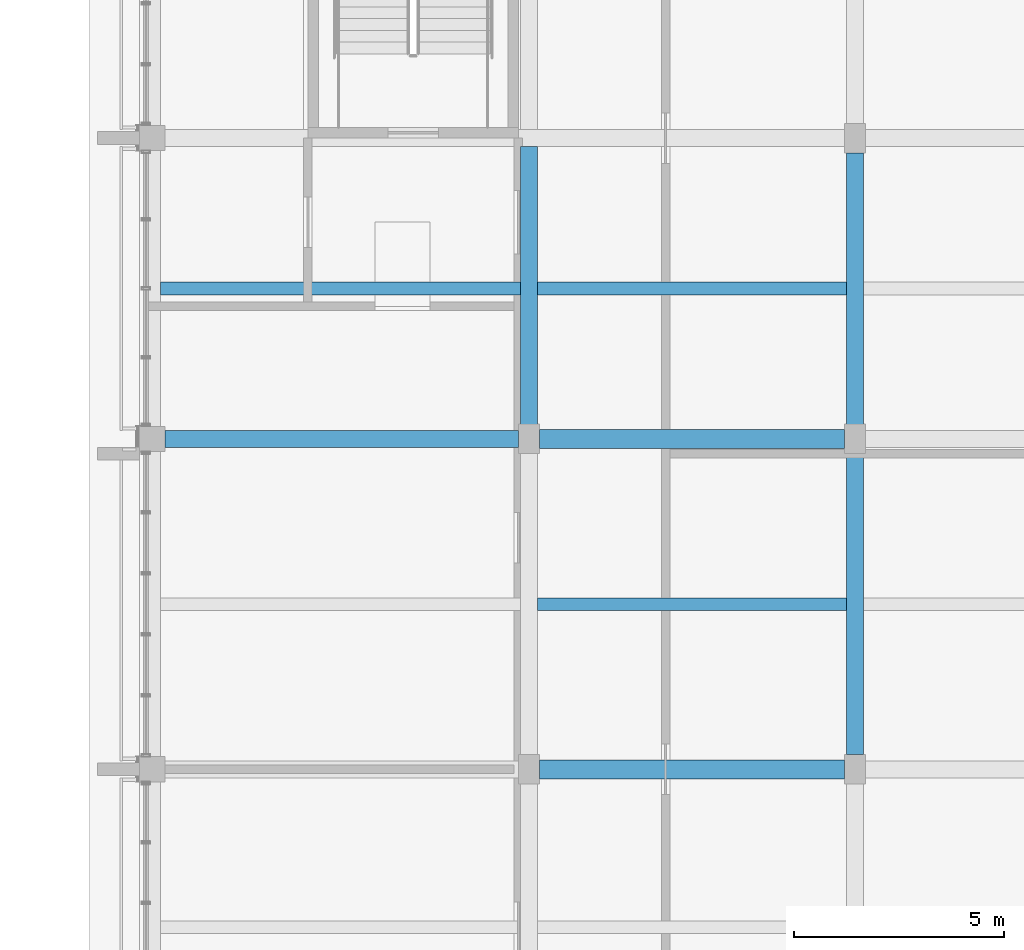
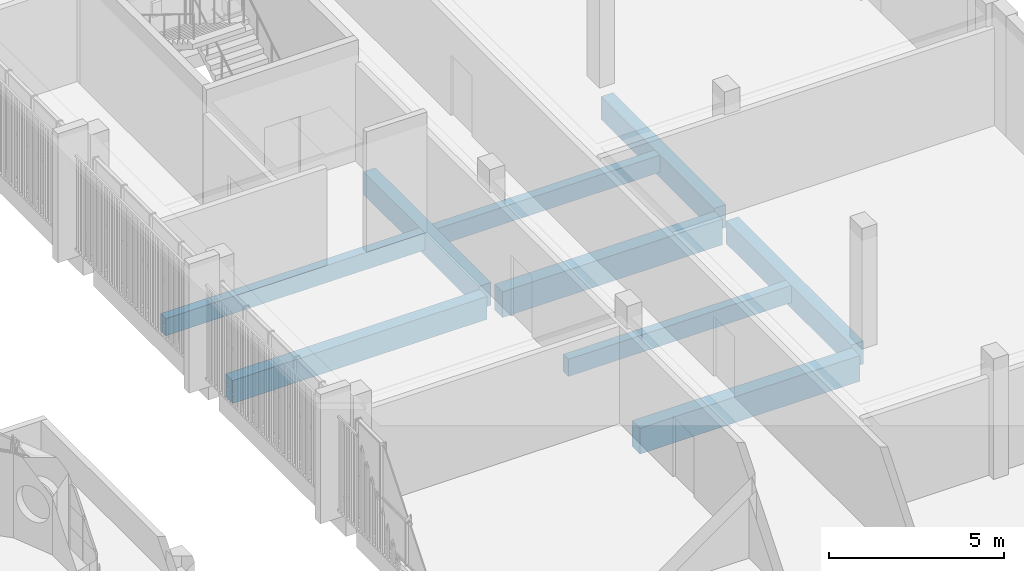
# One storey, part 21 of 98: 9 beams.
"""IFC4 building model written with IfcOpenShell, lengths in metres."""

import ifcopenshell
import ifcopenshell.guid

model = None  # the IFC model being written
_history = None  # IfcOwnerHistory: only IFC2X3 demands one
_inside = {}  # id of a spatial element -> (the spatial element, [elements in it])
_under = {}  # id of a project, library or spatial element -> (it, [spatial elements below it])
_declared = {}  # id of a project -> (the project, [libraries it declares])
_typed = {}  # id of a type object -> (the type object, [elements of that type])
_made_of = {}  # id of a material, layer set ... -> (it, [elements and type objects made of it])


def new_model(schema):
    """Start an empty IFC model of exactly this schema.

    Asked for "IFC4X3", IfcOpenShell would pick the latest addendum, in which some entities
    have other attributes; the version numbers below select the first issue.
    IFC2X3 requires an IfcOwnerHistory on every rooted entity: one is made here for all.
    """
    global model, _history
    if schema == "IFC4X3":
        model = ifcopenshell.file(schema_version=(4, 3, 0, 0))
    else:
        model = ifcopenshell.file(schema=schema)
    _inside.clear()
    _under.clear()
    _declared.clear()
    _typed.clear()
    _made_of.clear()
    _history = None
    if model.schema == "IFC2X3":
        org = make("IfcOrganization", Name="unknown")
        user = make(
            "IfcPersonAndOrganization",
            ThePerson=make("IfcPerson", FamilyName="unknown"),
            TheOrganization=org,
        )
        app = make(
            "IfcApplication",
            ApplicationDeveloper=org,
            Version="unknown",
            ApplicationFullName="unknown",
            ApplicationIdentifier="unknown",
        )
        _history = make(
            "IfcOwnerHistory",
            OwningUser=user,
            OwningApplication=app,
            ChangeAction="ADDED",
            CreationDate=0,
        )
    return model


def make(cls, **values):
    """One entity of the class cls with the attributes given. An attribute that is None is left unset."""
    return model.create_entity(
        cls, **{name: value for name, value in values.items() if value is not None}
    )


def rooted(cls, **values):
    """An entity with a GlobalId (a new one), such as an element, a storey or a relation."""
    return make(cls, GlobalId=ifcopenshell.guid.new(), OwnerHistory=_history, **values)


def si_unit(unit_type, name, prefix=None):
    """IfcSIUnit, for example si_unit("LENGTHUNIT", "METRE", prefix="MILLI")."""
    return make("IfcSIUnit", UnitType=unit_type, Prefix=prefix, Name=name)


def assignment(units):
    """IfcUnitAssignment: the units of a project."""
    return None if units is None else make("IfcUnitAssignment", Units=units)


def point(xyz):
    """IfcCartesianPoint."""
    return None if xyz is None else make("IfcCartesianPoint", Coordinates=xyz)


def direction(xyz):
    """IfcDirection."""
    return None if xyz is None else make("IfcDirection", DirectionRatios=xyz)


def frame(location, z_axis=None, x_axis=None):
    """IfcAxis2Placement3D, a coordinate frame: its origin and axes. An axis left out is left unset."""
    return make(
        "IfcAxis2Placement3D",
        Location=point(location),
        Axis=direction(z_axis),
        RefDirection=direction(x_axis),
    )


def frame_2d(location, x_axis=None):
    """IfcAxis2Placement2D, a coordinate frame in the plane: its origin and x axis."""
    return make(
        "IfcAxis2Placement2D", Location=point(location), RefDirection=direction(x_axis)
    )


def origin():
    """The frame at (0, 0, 0) with its axes left unset."""
    return frame((0.0, 0.0, 0.0))


def origin_2d():
    """The frame at (0, 0) in the plane with its x axis left unset."""
    return frame_2d((0.0, 0.0))


def place(relative_to, where):
    """IfcLocalPlacement: puts the frame where relative to a parent placement (None: the world)."""
    return make(
        "IfcLocalPlacement", PlacementRelTo=relative_to, RelativePlacement=where
    )


def context(
    kind, dimensions, precision=None, world=None, true_north=None, identifier=None
):
    """IfcGeometricRepresentationContext, for example the 3D "Model" context."""
    return make(
        "IfcGeometricRepresentationContext",
        ContextIdentifier=identifier,
        ContextType=kind,
        CoordinateSpaceDimension=dimensions,
        Precision=precision,
        WorldCoordinateSystem=world,
        TrueNorth=true_north,
    )


def subcontext(parent, identifier, kind, view, scale=None):
    """IfcGeometricRepresentationSubContext, for example "Body" below "Model"."""
    return make(
        "IfcGeometricRepresentationSubContext",
        ContextIdentifier=identifier,
        ContextType=kind,
        ParentContext=parent,
        TargetScale=scale,
        TargetView=view,
    )


def project(units=None, contexts=None):
    """IfcProject with its units and contexts."""
    return rooted(
        "IfcProject",
        Name="project",
        RepresentationContexts=contexts,
        UnitsInContext=assignment(units),
    )


def spatial(cls, under=None, at=None, **own):
    """A site, building, storey or space (cls), placed at a placement, below another one or the project."""
    s = rooted(cls, ObjectPlacement=at, **own)
    if under is not None:
        _under.setdefault(under.id(), (under, []))[1].append(s)
    return s


def profile(cls, at=None, kind="AREA", **sizes):
    """A parametric profile (cls). Its sizes go by their IFC names, for example OverallWidth=200.0."""
    return make(cls, ProfileType=kind, Position=at, **sizes)


def rectangle(**sizes):
    """IfcRectangleProfileDef."""
    return profile("IfcRectangleProfileDef", **sizes)


def extrude(swept, where, along, depth):
    """IfcExtrudedAreaSolid: the profile swept, set in the frame where, extruded along a direction by depth."""
    return make(
        "IfcExtrudedAreaSolid",
        SweptArea=swept,
        Position=where,
        ExtrudedDirection=direction(along),
        Depth=depth,
    )


def shape(context_of_items, identifier, shape_type, items):
    """IfcShapeRepresentation: the items that make up one representation, for example the "Body"."""
    return make(
        "IfcShapeRepresentation",
        ContextOfItems=context_of_items,
        RepresentationIdentifier=identifier,
        RepresentationType=shape_type,
        Items=items,
    )


def material(Name=None, Category=None):
    """IfcMaterial."""
    return make("IfcMaterial", Name=Name, Category=Category)


def material_profile(
    of_material, cross_section, Name=None, Category=None, Priority=None
):
    """IfcMaterialProfile: a cross section and its material."""
    return make(
        "IfcMaterialProfile",
        Name=Name,
        Material=of_material,
        Profile=cross_section,
        Priority=Priority,
        Category=Category,
    )


def profile_set(profiles, Name=None, composite=None):
    """IfcMaterialProfileSet."""
    return make(
        "IfcMaterialProfileSet",
        Name=Name,
        MaterialProfiles=profiles,
        CompositeProfile=composite,
    )


def made_of(thing, what):
    """Note that an element or type object is made of a material, layer set ...; save() writes the relation."""
    if what is not None:
        _made_of.setdefault(what.id(), (what, []))[1].append(thing)
    return thing


def type_object(cls, material=None, **own):
    """A type object (cls), such as IfcWallType, which elements share."""
    return made_of(rooted(cls, **own), material)


def element(
    cls,
    number,
    at=None,
    inside=None,
    cuts=None,
    type_object=None,
    material=None,
    context=None,
    identifier="Body",
    shape_type=None,
    held_by="IfcProductDefinitionShape",
    body=None,
    shapes=None,
    **own,
):
    """One element of the class cls, such as IfcWall. Its Tag is "e" and its number.

    at: its placement. inside: the storey or other place that contains it. cuts: it is an
    opening in that element (IfcRelVoidsElement). A single representation is given by context,
    identifier, shape_type and body (its items); several are given by shapes. held_by: the class
    of the entity that holds the representations. save() writes the other relations.
    """
    e = rooted(cls, Tag="e%d" % number, ObjectPlacement=at, **own)
    if body is not None:
        shapes = [shape(context, identifier, shape_type, body)]
    if shapes is not None:
        e.Representation = make(held_by, Representations=shapes)
    if inside is not None:
        _inside.setdefault(inside.id(), (inside, []))[1].append(e)
    if cuts is not None:
        rooted(
            "IfcRelVoidsElement", RelatingBuildingElement=cuts, RelatedOpeningElement=e
        )
    if type_object is not None:
        _typed.setdefault(type_object.id(), (type_object, []))[1].append(e)
    return made_of(e, material)


def aggregate(whole, parts):
    """IfcRelAggregates: a whole, such as a stair, and the parts it consists of."""
    return rooted("IfcRelAggregates", RelatingObject=whole, RelatedObjects=parts)


def save(model, path):
    """Write the relations noted so far, then the file.

    IfcRelAggregates (storeys below a building ...), IfcRelContainedInSpatialStructure (elements
    in a storey), IfcRelDefinesByType, IfcRelAssociatesMaterial and IfcRelDeclares: one each for
    every whole, place, type object, material and project.
    """
    for whole, parts in _under.values():
        aggregate(whole, parts)
    for where, things in _inside.values():
        rooted(
            "IfcRelContainedInSpatialStructure",
            RelatedElements=things,
            RelatingStructure=where,
        )
    for kind, things in _typed.values():
        rooted("IfcRelDefinesByType", RelatedObjects=things, RelatingType=kind)
    for what, things in _made_of.values():
        rooted("IfcRelAssociatesMaterial", RelatedObjects=things, RelatingMaterial=what)
    for by, libraries in _declared.values():
        rooted("IfcRelDeclares", RelatingContext=by, RelatedDefinitions=libraries)
    model.write(path)


model = new_model("IFC4")

# Units and contexts
model_context = context("Model", 3, precision=1e-05, world=origin(), true_north=direction((0.0, 1.0)))
body_context = subcontext(model_context, "Body", "Model", "MODEL_VIEW")
ifc_project = project(units=[si_unit("LENGTHUNIT", "METRE"), si_unit("AREAUNIT", "SQUARE_METRE"), si_unit("VOLUMEUNIT", "CUBIC_METRE"), si_unit("PLANEANGLEUNIT", "RADIAN"), si_unit("MASSUNIT", "GRAM", prefix="KILO")], contexts=[model_context])

# Site, building, storey
site_placement = place(None, origin())
site = spatial("IfcSite", under=ifc_project, at=site_placement, CompositionType="ELEMENT")
building_placement = place(site_placement, origin())
building = spatial("IfcBuilding", under=site, at=building_placement, Name="Sun Court Science Centre", CompositionType="ELEMENT")
storey_placement = place(building_placement, frame((0.0, 0.0, 15.75)))
storey = spatial("IfcBuildingStorey", under=building, at=storey_placement, Name="L03", CompositionType="ELEMENT", Elevation=15.75)

# Beams
ifc_material_1 = material(Name="Concrete C25/30", Category="concrete")
ifc_material_profile_1 = material_profile(ifc_material_1, rectangle(XDim=0.39990234375, YDim=0.800048828125, at=origin_2d()), Name="RC 400x800")
ifc_profile_set_1 = profile_set([ifc_material_profile_1], Name="Concrete C25/30")
beam_type_1 = type_object("IfcBeamType", Name="RC girder 400x800", PredefinedType="BEAM", material=ifc_profile_set_1)
beam_1_placement = place(storey_placement, frame((78.60009765625, 28.85009765625, -0.699951171875), z_axis=(1.0, 0.0, 0.0), x_axis=(0.0, 1.0, 0.0)))
element("IfcBeam", 1, at=beam_1_placement, inside=storey, type_object=beam_type_1, Name="Girder L03 row 4", PredefinedType="BEAM", context=body_context, shape_type="SweptSolid", body=[
    extrude(rectangle(XDim=0.39990234375, YDim=0.800048828125, at=origin_2d()), origin(), (0.0, 0.0, 1.0), 8.39990234375),
])
beam_2_placement = place(storey_placement, frame((87.25, 29.199951171875, -0.699951171875), z_axis=(0.0, 1.0, 0.0), x_axis=(-1.0, 0.0, 0.0)))
element("IfcBeam", 2, at=beam_2_placement, inside=storey, type_object=beam_type_1, Name="Girder L03 line 2", PredefinedType="BEAM", context=body_context, shape_type="SweptSolid", body=[
    extrude(rectangle(XDim=0.39990234375, YDim=0.800048828125, at=origin_2d()), origin(), (0.0, 0.0, 1.0), 6.60009765625),
])
beam_3_placement = place(storey_placement, frame((95.0, 21.35009765625, -0.699951171875), z_axis=(0.0, 1.0, 0.0), x_axis=(-1.0, 0.0, 0.0)))
element("IfcBeam", 3, at=beam_3_placement, inside=storey, type_object=beam_type_1, Name="Girder L03 line 3", PredefinedType="BEAM", context=body_context, shape_type="SweptSolid", body=[
    extrude(rectangle(XDim=0.39990234375, YDim=0.800048828125, at=origin_2d()), origin(), (0.0, 0.0, 1.0), 7.14990234375),
])
beam_4_placement = place(storey_placement, frame((95.0, 29.199951171875, -0.699951171875), z_axis=(0.0, 1.0, 0.0), x_axis=(-1.0, 0.0, 0.0)))
element("IfcBeam", 4, at=beam_4_placement, inside=storey, type_object=beam_type_1, Name="Girder L03 line 3", PredefinedType="BEAM", context=body_context, shape_type="SweptSolid", body=[
    extrude(rectangle(XDim=0.39990234375, YDim=0.800048828125, at=origin_2d()), origin(), (0.0, 0.0, 1.0), 6.449951171875),
])
ifc_material_2 = material(Name="Concrete C25/30", Category="concrete")
ifc_material_profile_2 = material_profile(ifc_material_2, rectangle(XDim=0.449951171875, YDim=0.89990234375, at=origin_2d()), Name="RC 450x900")
ifc_profile_set_2 = profile_set([ifc_material_profile_2], Name="Concrete C25/30")
beam_type_2 = type_object("IfcBeamType", Name="RC girder 450x900", PredefinedType="BEAM", material=ifc_profile_set_2)
for number, where, z_axis, x_axis, name in (
    (5, (87.5, 21.0, -0.75), (1.0, 0.0, 0.0), (0.0, 1.0, 0.0), "Girder L03 row 3"),
    (6, (87.5, 28.85009765625, -0.75), (1.0, 0.0, 0.0), (0.0, 1.0, 0.0), "Girder L03 row 4"),
):
    element("IfcBeam", number, at=place(storey_placement, frame(where, z_axis=z_axis, x_axis=x_axis)), inside=storey, type_object=beam_type_2, Name=name, PredefinedType="BEAM", context=body_context, shape_type="SweptSolid", body=[
        extrude(rectangle(XDim=0.449951171875, YDim=0.89990234375, at=origin_2d()), origin(), (0.0, 0.0, 1.0), 7.25),
    ])
ifc_material_3 = material(Name="Concrete C25/30", Category="concrete")
ifc_material_profile_3 = material_profile(ifc_material_3, rectangle(XDim=0.300048828125, YDim=0.60009765625, at=origin_2d()), Name="RC 300x600")
ifc_profile_set_3 = profile_set([ifc_material_profile_3], Name="Concrete C25/30")
beam_type_3 = type_object("IfcBeamType", Name="RC joist 300x600", PredefinedType="JOIST", material=ifc_profile_set_3)
beam_5_placement = place(storey_placement, frame((87.449951171875, 24.925048828125, -0.60009765625), z_axis=(1.0, 0.0, 0.0), x_axis=(0.0, 1.0, 0.0)))
element("IfcBeam", 7, at=beam_5_placement, inside=storey, type_object=beam_type_3, Name="Joist L03", PredefinedType="JOIST", context=body_context, shape_type="SweptSolid", body=[
    extrude(rectangle(XDim=0.300048828125, YDim=0.60009765625, at=origin_2d()), origin(), (0.0, 0.0, 1.0), 7.35009765625),
])
beam_6_placement = place(storey_placement, frame((78.5, 32.425048828125, -0.60009765625), z_axis=(1.0, 0.0, 0.0), x_axis=(0.0, 1.0, 0.0)))
element("IfcBeam", 8, at=beam_6_placement, inside=storey, type_object=beam_type_3, Name="Joist L03", PredefinedType="JOIST", context=body_context, shape_type="SweptSolid", body=[
    extrude(rectangle(XDim=0.300048828125, YDim=0.60009765625, at=origin_2d()), origin(), (0.0, 0.0, 1.0), 8.550048828125),
])
beam_7_placement = place(storey_placement, frame((87.449951171875, 32.425048828125, -0.60009765625), z_axis=(1.0, 0.0, 0.0), x_axis=(0.0, 1.0, 0.0)))
element("IfcBeam", 9, at=beam_7_placement, inside=storey, type_object=beam_type_3, Name="Joist L03", PredefinedType="JOIST", context=body_context, shape_type="SweptSolid", body=[
    extrude(rectangle(XDim=0.300048828125, YDim=0.60009765625, at=origin_2d()), origin(), (0.0, 0.0, 1.0), 7.35009765625),
])

save(model, "model.ifc")
